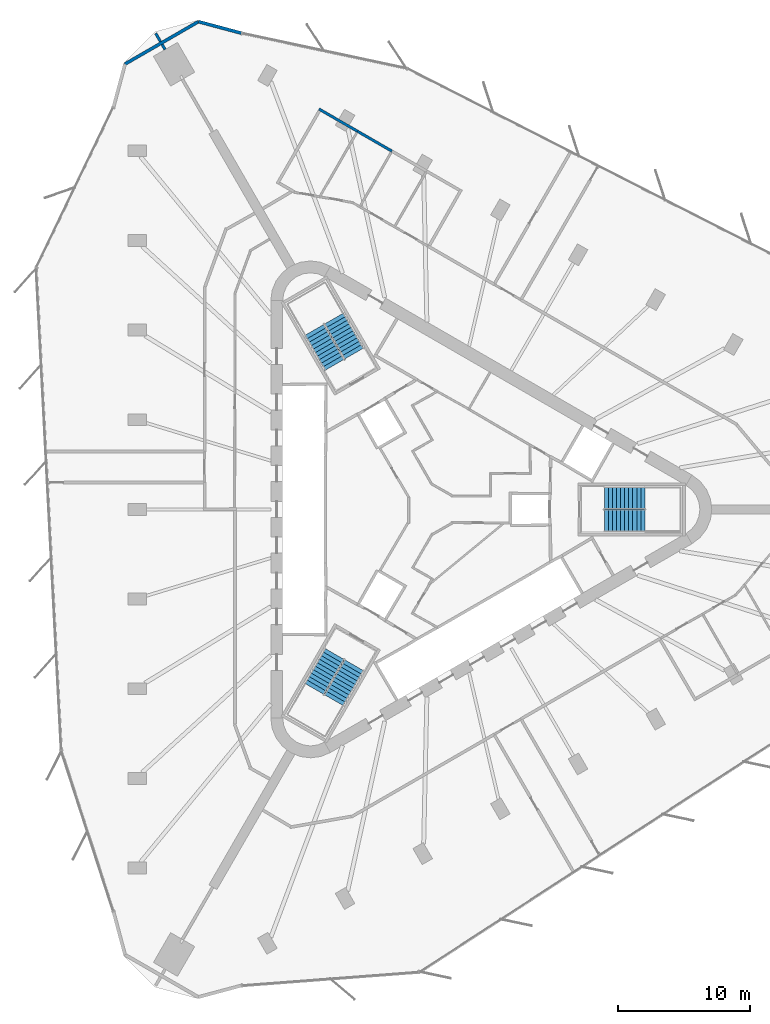
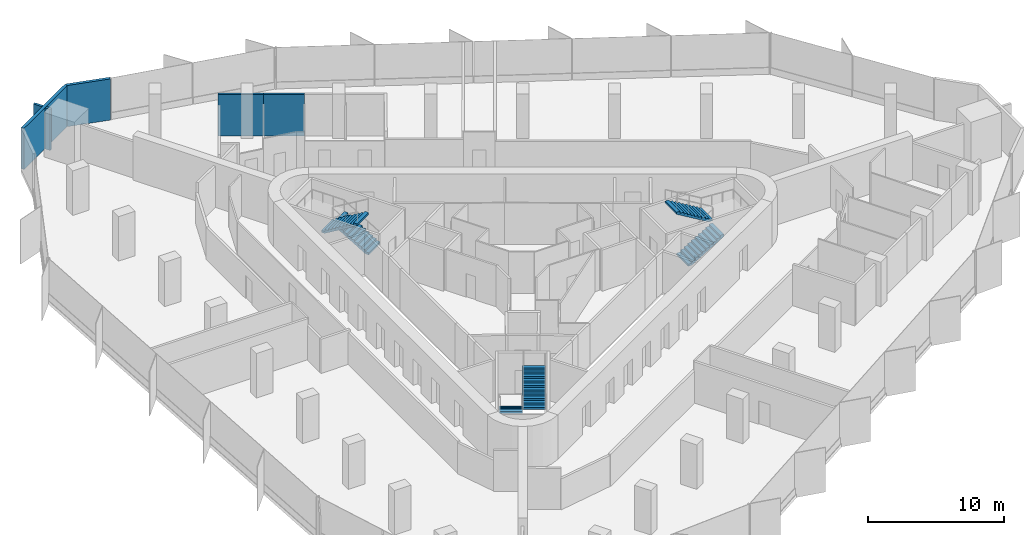
# One storey, part 13 of 14: 6 stair flights, 6 walls, 3 elements without a shape of their own.
"""IFC4 building model written with IfcOpenShell, lengths in metres."""

from ifc_helpers import new_model, si_unit, direction, frame, frame_2d, origin, place, context, subcontext, project, spatial, polyline, rectangle, outline, extrude, material, layer, layer_set, type_object, element, aggregate, save


model = new_model("IFC4")

# Units and contexts
model_context = context("Model", 3, precision=1e-05, world=origin(), true_north=direction((0.0, 1.0)))
body_context = subcontext(model_context, "Body", "Model", "MODEL_VIEW")
ifc_project = project(units=[si_unit("LENGTHUNIT", "METRE"), si_unit("AREAUNIT", "SQUARE_METRE"), si_unit("VOLUMEUNIT", "CUBIC_METRE"), si_unit("PLANEANGLEUNIT", "RADIAN"), si_unit("MASSUNIT", "GRAM", prefix="KILO")], contexts=[model_context])

# Site, building, storey
site_placement = place(None, origin())
site = spatial("IfcSite", under=ifc_project, at=site_placement, CompositionType="ELEMENT")
building_placement = place(site_placement, origin())
building = spatial("IfcBuilding", under=site, at=building_placement, Name="Tanit Gate Tower", CompositionType="ELEMENT")
storey_placement = place(building_placement, frame((0.0, 0.0, 205.199951171875)))
storey = spatial("IfcBuildingStorey", under=building, at=storey_placement, Name="L45", CompositionType="ELEMENT", Elevation=205.199951171875)

# Walls
ifc_material_1 = material(Name="Concrete C30/37 with bronze anodised aluminium cladding", Category="concrete")
ifc_layer_1 = layer(ifc_material_1, 0.239990234375)
ifc_layer_set_1 = layer_set([ifc_layer_1], Name="Facade wall bronze clad 240")
wall_type_1 = type_object("IfcWallType", Name="Facade wall bronze clad 240", PredefinedType="SOLIDWALL", material=ifc_layer_set_1)
wall_1_placement = place(storey_placement, frame((-14.32568359375, 35.962890625, 0.0), z_axis=(0.0, 0.0, 1.0), x_axis=(-0.965927247937, 0.258813739382, 0.0)))
element("IfcWall", 1, at=wall_1_placement, inside=storey, type_object=wall_type_1, Name="Bronze-clad facade wall L45 NW.arc1", PredefinedType="SOLIDWALL", context=body_context, shape_type="SweptSolid", body=[
    extrude(rectangle(XDim=3.3525390625, YDim=0.239990234375, at=frame_2d((1.67626953125, 0.0))), origin(), (0.0, 0.0, 1.0), 3.699951171875),
])
wall_2_placement = place(storey_placement, frame((-17.56396484375, 36.83056640625, 0.0), z_axis=(0.0, 0.0, 1.0), x_axis=(-0.86602381473, -0.500002752313, 0.0)))
element("IfcWall", 2, at=wall_2_placement, inside=storey, type_object=wall_type_1, Name="Bronze-clad facade wall L45 NW.arc2", PredefinedType="SOLIDWALL", context=body_context, shape_type="SweptSolid", body=[
    extrude(rectangle(XDim=6.40869140625, YDim=0.239990234375, at=frame_2d((3.204345703125, 0.0))), origin(), (0.0, 0.0, 1.0), 3.699951171875),
])
ifc_material_2 = material(Name="Fire-rated gypsum board partition")
ifc_layer_2 = layer(ifc_material_2, 0.199951171875)
ifc_layer_set_2 = layer_set([ifc_layer_2], Name="INT-WALL-COMPARTMENT")
wall_type_2 = type_object("IfcWallType", Name="INT-WALL-COMPARTMENT", PredefinedType="PARTITIONING", material=ifc_layer_set_2)
wall_3_placement = place(storey_placement, frame((-20.08154296875, 34.72216796875, 0.0), z_axis=(0.0, 0.0, 1.0), x_axis=(-0.500132045864, 0.865949153646, 0.0)))
element("IfcWall", 3, at=wall_3_placement, inside=storey, type_object=wall_type_2, Name="Wall Compartment W123", PredefinedType="PARTITIONING", context=body_context, shape_type="SweptSolid", body=[
    extrude(rectangle(XDim=0.447265625, YDim=0.199951171875, at=frame_2d((0.2236328125, 0.0))), origin(), (0.0, 0.0, 1.0), 3.699951171875),
])
wall_4_placement = place(storey_placement, frame((-20.425048828125, 35.317138671875, 0.0), z_axis=(0.0, 0.0, 1.0), x_axis=(-0.499876722092, 0.86609656662, 0.0)))
element("IfcWall", 4, at=wall_4_placement, inside=storey, type_object=wall_type_2, Name="Wall Compartment W123x1", PredefinedType="PARTITIONING", context=body_context, shape_type="SweptSolid", body=[
    extrude(rectangle(XDim=0.730712890625, YDim=0.199951171875, at=frame_2d((0.365234375, 0.0))), origin(), (0.0, 0.0, 1.0), 3.699951171875),
])
wall_5_placement = place(storey_placement, frame((-8.46728515625, 30.234375, 0.0), z_axis=(0.0, 0.0, 1.0), x_axis=(0.866011654119, -0.500023814363, 0.0)))
element("IfcWall", 5, at=wall_5_placement, inside=storey, type_object=wall_type_2, Name="Wall Compartment W133", PredefinedType="PARTITIONING", context=body_context, shape_type="SweptSolid", body=[
    extrude(rectangle(XDim=3.365966796875, YDim=0.199951171875, at=frame_2d((1.68310546875, 0.0))), origin(), (0.0, 0.0, 1.0), 3.699951171875),
])
wall_6_placement = place(storey_placement, frame((-5.55224609375, 28.55126953125, 0.0), z_axis=(0.0, 0.0, 1.0), x_axis=(0.866040543018, -0.499973777161, 0.0)))
element("IfcWall", 6, at=wall_6_placement, inside=storey, type_object=wall_type_2, Name="Wall Compartment W132", PredefinedType="PARTITIONING", context=body_context, shape_type="SweptSolid", body=[
    extrude(rectangle(XDim=2.999267578125, YDim=0.199951171875, at=frame_2d((1.49951171875, 0.0))), origin(), (0.0, 0.0, 1.0), 3.699951171875),
])

# Stair, stair flights
ifc_material_3 = material(Name="Concrete C40/50", Category="concrete")
stair_type = type_object("IfcStairType", Name="INT-STAIR-EXIT", PredefinedType="HALF_TURN_STAIR", material=ifc_material_3)
stair_1_placement = place(storey_placement, origin())
stair_1 = element("IfcStair", 7, at=stair_1_placement, inside=storey, type_object=stair_type, Name="L45 STAIR S1", PredefinedType="HALF_TURN_STAIR")
ifc_material_4 = material(Name="Concrete C40/50", Category="concrete")
stair_flight_type = type_object("IfcStairFlightType", Name="INT-STAIR-FLIGHT", PredefinedType="STRAIGHT", material=ifc_material_4)
stair_flight_1_placement = place(storey_placement, frame((13.094970703125, -0.8525390625, 0.0), z_axis=(0.0, 0.0, 1.0), x_axis=(1.0, 0.0, 0.0)))
stair_flight_1 = element("IfcStairFlight", 8, at=stair_flight_1_placement, type_object=stair_flight_type, Name="S1 flight 1", NumberOfRisers=11, NumberOfTreads=10, PredefinedType="STRAIGHT", RiserHeight=0.181818182, TreadLength=0.3051, context=body_context, shape_type="SweptSolid", body=[
    extrude(outline(polyline([(0.0, 0.0), (0.0, 0.181884765625), (0.30517578125, 0.181884765625), (0.30517578125, 0.363525390625), (0.610107421875, 0.363525390625), (0.610107421875, 0.54541015625), (0.915283203125, 0.54541015625), (0.915283203125, 0.727294921875), (1.220458984375, 0.727294921875), (1.220458984375, 0.9091796875), (1.525390625, 0.9091796875), (1.525390625, 1.0908203125), (1.83056640625, 1.0908203125), (1.83056640625, 1.272705078125), (2.1357421875, 1.272705078125), (2.1357421875, 1.45458984375), (2.44091796875, 1.45458984375), (2.44091796875, 1.636474609375), (2.745849609375, 1.636474609375), (2.745849609375, 1.818115234375), (3.051025390625, 1.818115234375), (3.051025390625, 2.0), (3.051025390625, 1.643798828125), (0.292724609375, 0.0), (0.0, 0.0)])), frame((0.0, 0.84765625, 0.0), z_axis=(0.0, -1.0, 0.0), x_axis=(1.0, 0.0, 0.0)), (0.0, 0.0, 1.0), 1.695068359375),
])
stair_flight_2_placement = place(storey_placement, frame((16.14599609375, 0.8525390625, 2.0), z_axis=(0.0, 0.0, 1.0), x_axis=(-1.0, 0.0, 0.0)))
stair_flight_2 = element("IfcStairFlight", 9, at=stair_flight_2_placement, type_object=stair_flight_type, Name="S1 flight 2", NumberOfRisers=11, NumberOfTreads=10, PredefinedType="STRAIGHT", RiserHeight=0.181818182, TreadLength=0.3051, context=body_context, shape_type="SweptSolid", body=[
    extrude(outline(polyline([(0.0, 0.0), (0.0, 0.181884765625), (0.30517578125, 0.181884765625), (0.30517578125, 0.363525390625), (0.610107421875, 0.363525390625), (0.610107421875, 0.54541015625), (0.915283203125, 0.54541015625), (0.915283203125, 0.727294921875), (1.220458984375, 0.727294921875), (1.220458984375, 0.9091796875), (1.525390625, 0.9091796875), (1.525390625, 1.0908203125), (1.83056640625, 1.0908203125), (1.83056640625, 1.272705078125), (2.1357421875, 1.272705078125), (2.1357421875, 1.45458984375), (2.44091796875, 1.45458984375), (2.44091796875, 1.636474609375), (2.745849609375, 1.636474609375), (2.745849609375, 1.818115234375), (3.051025390625, 1.818115234375), (3.051025390625, 2.0), (3.051025390625, 1.643798828125), (0.292724609375, 0.0), (0.0, 0.0)])), frame((0.0, 0.84765625, 0.0), z_axis=(0.0, -1.0, 0.0), x_axis=(1.0, 0.0, 0.0)), (0.0, 0.0, 1.0), 1.695068359375),
])
aggregate(stair_1, [stair_flight_1, stair_flight_2])

stair_2_placement = place(storey_placement, origin())
stair_2 = element("IfcStair", 10, at=stair_2_placement, inside=storey, type_object=stair_type, Name="L45 STAIR S2", PredefinedType="HALF_TURN_STAIR")
stair_flight_3_placement = place(storey_placement, frame((-5.808349609375, 11.766357421875, 0.0), z_axis=(0.0, 0.0, 1.0), x_axis=(-0.5, 0.866025403784, 0.0)))
stair_flight_3 = element("IfcStairFlight", 11, at=stair_flight_3_placement, type_object=stair_flight_type, Name="S2 flight 1", NumberOfRisers=11, NumberOfTreads=10, PredefinedType="STRAIGHT", RiserHeight=0.181818182, TreadLength=0.30492, context=body_context, shape_type="SweptSolid", body=[
    extrude(outline(polyline([(0.0, 0.0), (0.0, 0.181884765625), (0.304931640625, 0.181884765625), (0.304931640625, 0.363525390625), (0.60986328125, 0.363525390625), (0.60986328125, 0.54541015625), (0.914794921875, 0.54541015625), (0.914794921875, 0.727294921875), (1.2197265625, 0.727294921875), (1.2197265625, 0.9091796875), (1.524658203125, 0.9091796875), (1.524658203125, 1.0908203125), (1.82958984375, 1.0908203125), (1.82958984375, 1.272705078125), (2.134521484375, 1.272705078125), (2.134521484375, 1.45458984375), (2.439453125, 1.45458984375), (2.439453125, 1.636474609375), (2.744384765625, 1.636474609375), (2.744384765625, 1.818115234375), (3.04931640625, 1.818115234375), (3.04931640625, 2.0), (3.04931640625, 1.6435546875), (0.292724609375, 0.0), (0.0, 0.0)])), frame((0.0, 0.84716796875, 0.0), z_axis=(0.0, -1.0, 0.0), x_axis=(1.0, 0.0, 0.0)), (0.0, 0.0, 1.0), 1.694091796875),
])
stair_flight_4_placement = place(storey_placement, frame((-8.810302734375, 13.553955078125, 2.0), z_axis=(0.0, 0.0, 1.0), x_axis=(0.5, -0.866025403784, 0.0)))
stair_flight_4 = element("IfcStairFlight", 12, at=stair_flight_4_placement, type_object=stair_flight_type, Name="S2 flight 2", NumberOfRisers=11, NumberOfTreads=10, PredefinedType="STRAIGHT", RiserHeight=0.181818182, TreadLength=0.30492, context=body_context, shape_type="SweptSolid", body=[
    extrude(outline(polyline([(0.0, 0.0), (0.0, 0.181884765625), (0.304931640625, 0.181884765625), (0.304931640625, 0.363525390625), (0.60986328125, 0.363525390625), (0.60986328125, 0.54541015625), (0.914794921875, 0.54541015625), (0.914794921875, 0.727294921875), (1.2197265625, 0.727294921875), (1.2197265625, 0.9091796875), (1.524658203125, 0.9091796875), (1.524658203125, 1.0908203125), (1.82958984375, 1.0908203125), (1.82958984375, 1.272705078125), (2.134521484375, 1.272705078125), (2.134521484375, 1.45458984375), (2.439453125, 1.45458984375), (2.439453125, 1.636474609375), (2.744384765625, 1.636474609375), (2.744384765625, 1.818115234375), (3.04931640625, 1.818115234375), (3.04931640625, 2.0), (3.04931640625, 1.6435546875), (0.292724609375, 0.0), (0.0, 0.0)])), frame((0.0, 0.84716796875, 0.0), z_axis=(0.0, -1.0, 0.0), x_axis=(1.0, 0.0, 0.0)), (0.0, 0.0, 1.0), 1.694091796875),
])
aggregate(stair_2, [stair_flight_3, stair_flight_4])

stair_3_placement = place(storey_placement, origin())
stair_3 = element("IfcStair", 13, at=stair_3_placement, inside=storey, type_object=stair_type, Name="L45 STAIR S3", PredefinedType="HALF_TURN_STAIR")
stair_flight_5_placement = place(storey_placement, frame((-7.285888671875, -10.914306640625, 0.0), z_axis=(0.0, 0.0, 1.0), x_axis=(-0.5, -0.866025403784, 0.0)))
stair_flight_5 = element("IfcStairFlight", 14, at=stair_flight_5_placement, type_object=stair_flight_type, Name="S3 flight 1", NumberOfRisers=11, NumberOfTreads=10, PredefinedType="STRAIGHT", RiserHeight=0.181818182, TreadLength=0.3051, context=body_context, shape_type="SweptSolid", body=[
    extrude(outline(polyline([(0.0, 0.0), (0.0, 0.181884765625), (0.30517578125, 0.181884765625), (0.30517578125, 0.363525390625), (0.610107421875, 0.363525390625), (0.610107421875, 0.54541015625), (0.915283203125, 0.54541015625), (0.915283203125, 0.727294921875), (1.220458984375, 0.727294921875), (1.220458984375, 0.9091796875), (1.525390625, 0.9091796875), (1.525390625, 1.0908203125), (1.83056640625, 1.0908203125), (1.83056640625, 1.272705078125), (2.1357421875, 1.272705078125), (2.1357421875, 1.45458984375), (2.44091796875, 1.45458984375), (2.44091796875, 1.636474609375), (2.745849609375, 1.636474609375), (2.745849609375, 1.818115234375), (3.051025390625, 1.818115234375), (3.051025390625, 2.0), (3.051025390625, 1.643798828125), (0.292724609375, 0.0), (0.0, 0.0)])), frame((0.0, 0.84765625, 0.0), z_axis=(0.0, -1.0, 0.0), x_axis=(1.0, 0.0, 0.0)), (0.0, 0.0, 1.0), 1.695068359375),
])
stair_flight_6_placement = place(storey_placement, frame((-7.334716796875, -14.4091796875, 2.0), z_axis=(0.0, 0.0, 1.0), x_axis=(0.5, 0.866025403784, 0.0)))
stair_flight_6 = element("IfcStairFlight", 15, at=stair_flight_6_placement, type_object=stair_flight_type, Name="S3 flight 2", NumberOfRisers=11, NumberOfTreads=10, PredefinedType="STRAIGHT", RiserHeight=0.181818182, TreadLength=0.3051, context=body_context, shape_type="SweptSolid", body=[
    extrude(outline(polyline([(0.0, 0.0), (0.0, 0.181884765625), (0.30517578125, 0.181884765625), (0.30517578125, 0.363525390625), (0.610107421875, 0.363525390625), (0.610107421875, 0.54541015625), (0.915283203125, 0.54541015625), (0.915283203125, 0.727294921875), (1.220458984375, 0.727294921875), (1.220458984375, 0.9091796875), (1.525390625, 0.9091796875), (1.525390625, 1.0908203125), (1.83056640625, 1.0908203125), (1.83056640625, 1.272705078125), (2.1357421875, 1.272705078125), (2.1357421875, 1.45458984375), (2.44091796875, 1.45458984375), (2.44091796875, 1.636474609375), (2.745849609375, 1.636474609375), (2.745849609375, 1.818115234375), (3.051025390625, 1.818115234375), (3.051025390625, 2.0), (3.051025390625, 1.643798828125), (0.292724609375, 0.0), (0.0, 0.0)])), frame((0.0, 0.84765625, 0.0), z_axis=(0.0, -1.0, 0.0), x_axis=(1.0, 0.0, 0.0)), (0.0, 0.0, 1.0), 1.695068359375),
])
aggregate(stair_3, [stair_flight_5, stair_flight_6])

save(model, "model.ifc")
